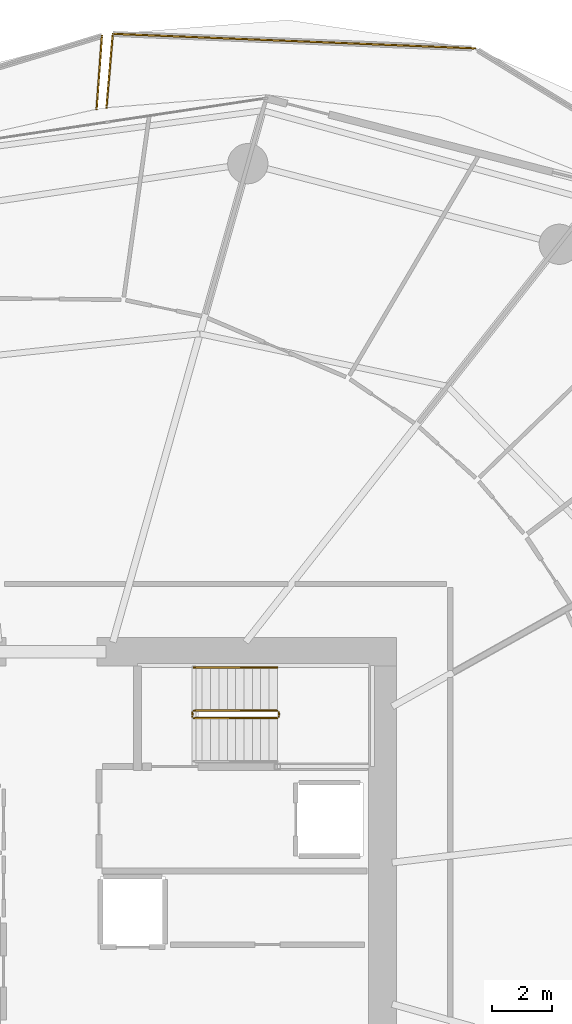
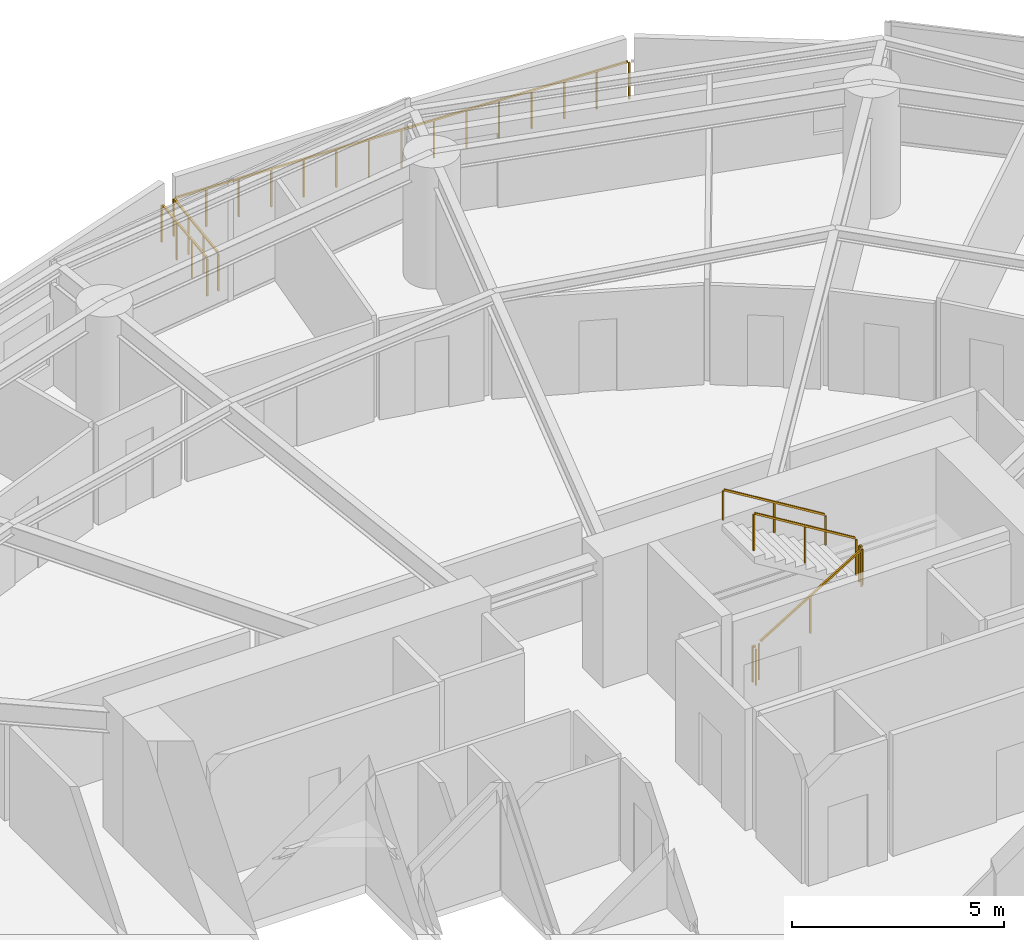
# One storey, part 30 of 31: 8 railings.
"""IFC4 building model written with IfcOpenShell, lengths in metres."""

from ifc_helpers import new_model, si_unit, direction, frame, origin, origin_2d, place, context, subcontext, project, spatial, rectangle, extrude, material, type_object, element, save


model = new_model("IFC4")

# Units and contexts
model_context = context("Model", 3, precision=1e-05, world=origin(), true_north=direction((0.0, 1.0)))
body_context = subcontext(model_context, "Body", "Model", "MODEL_VIEW")
ifc_project = project(units=[si_unit("LENGTHUNIT", "METRE"), si_unit("AREAUNIT", "SQUARE_METRE"), si_unit("VOLUMEUNIT", "CUBIC_METRE"), si_unit("PLANEANGLEUNIT", "RADIAN"), si_unit("MASSUNIT", "GRAM", prefix="KILO")], contexts=[model_context])

# Site, building, storey
site_placement = place(None, origin())
site = spatial("IfcSite", under=ifc_project, at=site_placement, CompositionType="ELEMENT")
building_placement = place(site_placement, origin())
building = spatial("IfcBuilding", under=site, at=building_placement, Name="Kazma Halo Residences", CompositionType="ELEMENT")
storey_placement = place(building_placement, frame((0.0, 0.0, 37.64990234375)))
storey = spatial("IfcBuildingStorey", under=building, at=storey_placement, Name="L08", CompositionType="ELEMENT", Elevation=37.64990234375)

# Railings
ifc_material_1 = material(Name="Aluminium AW-6063 T6 Brushed Cap Rail", Category="aluminium")
railing_type_1 = type_object("IfcRailingType", Name="RLG-BAL-CAP-1120", PredefinedType="BALUSTRADE", material=ifc_material_1)
railing_1_placement = place(storey_placement, frame((62.63232421875, 70.717529296875, 0.0)))
element("IfcRailing", 1, at=railing_1_placement, inside=storey, type_object=railing_type_1, Name="L08 NE wave balcony guard 3", PredefinedType="BALUSTRADE", context=body_context, shape_type="SweptSolid", body=[
    extrude(rectangle(XDim=0.050048828125, YDim=0.050048828125, at=origin_2d()), frame((-0.04248046875, 0.001708984375, 1.09521484375), z_axis=(-0.999194018409, 0.040141170593, 0.0), x_axis=(-0.040141170593, -0.999194018409, 0.0)), (0.0, 0.0, 1.0), 12.0791015625),
    extrude(rectangle(XDim=0.0400390625, YDim=0.0400390625, at=origin_2d()), origin(), (0.0, 0.0, 1.0), 1.05810546875),
    extrude(rectangle(XDim=0.0400390625, YDim=0.0400390625, at=origin_2d()), frame((-0.8681640625, 0.034912109375, 0.0)), (0.0, 0.0, 1.0), 1.05810546875),
    extrude(rectangle(XDim=0.0400390625, YDim=0.0400390625, at=origin_2d()), frame((-1.736328125, 0.06982421875, 0.0)), (0.0, 0.0, 1.0), 1.05810546875),
    extrude(rectangle(XDim=0.0400390625, YDim=0.0400390625, at=origin_2d()), frame((-2.6044921875, 0.104736328125, 0.0)), (0.0, 0.0, 1.0), 1.05810546875),
    extrude(rectangle(XDim=0.0400390625, YDim=0.0400390625, at=origin_2d()), frame((-3.47265625, 0.139404296875, 0.0)), (0.0, 0.0, 1.0), 1.05810546875),
    extrude(rectangle(XDim=0.0400390625, YDim=0.0400390625, at=origin_2d()), frame((-4.3408203125, 0.17431640625, 0.0)), (0.0, 0.0, 1.0), 1.05810546875),
    extrude(rectangle(XDim=0.0400390625, YDim=0.0400390625, at=origin_2d()), frame((-5.208984375, 0.209228515625, 0.0)), (0.0, 0.0, 1.0), 1.05810546875),
    extrude(rectangle(XDim=0.0400390625, YDim=0.0400390625, at=origin_2d()), frame((-6.0771484375, 0.244140625, 0.0)), (0.0, 0.0, 1.0), 1.05810546875),
    extrude(rectangle(XDim=0.0400390625, YDim=0.0400390625, at=origin_2d()), frame((-6.9453125, 0.279052734375, 0.0)), (0.0, 0.0, 1.0), 1.05810546875),
    extrude(rectangle(XDim=0.0400390625, YDim=0.0400390625, at=origin_2d()), frame((-7.8134765625, 0.31396484375, 0.0)), (0.0, 0.0, 1.0), 1.05810546875),
    extrude(rectangle(XDim=0.0400390625, YDim=0.0400390625, at=origin_2d()), frame((-8.681640625, 0.348876953125, 0.0)), (0.0, 0.0, 1.0), 1.05810546875),
    extrude(rectangle(XDim=0.0400390625, YDim=0.0400390625, at=origin_2d()), frame((-9.5498046875, 0.383544921875, 0.0)), (0.0, 0.0, 1.0), 1.05810546875),
    extrude(rectangle(XDim=0.0400390625, YDim=0.0400390625, at=origin_2d()), frame((-10.41796875, 0.41845703125, 0.0)), (0.0, 0.0, 1.0), 1.05810546875),
    extrude(rectangle(XDim=0.0400390625, YDim=0.0400390625, at=origin_2d()), frame((-11.2861328125, 0.453369140625, 0.0)), (0.0, 0.0, 1.0), 1.05810546875),
    extrude(rectangle(XDim=0.0400390625, YDim=0.0400390625, at=origin_2d()), frame((-12.154296875, 0.48828125, 0.0)), (0.0, 0.0, 1.0), 1.05810546875),
])
railing_2_placement = place(storey_placement, frame((50.47802734375, 71.205810546875, 0.0)))
element("IfcRailing", 2, at=railing_2_placement, inside=storey, type_object=railing_type_1, Name="L08 NE wave balcony guard 4", PredefinedType="BALUSTRADE", context=body_context, shape_type="SweptSolid", body=[
    extrude(rectangle(XDim=0.050048828125, YDim=0.050048828125, at=origin_2d()), frame((-0.003662109375, -0.04248046875, 1.09521484375), z_axis=(-0.084492676615, -0.99642410027, 0.0), x_axis=(0.99642410027, -0.084492676615, 0.0)), (0.0, 0.0, 1.0), 2.39990234375),
    extrude(rectangle(XDim=0.0400390625, YDim=0.0400390625, at=origin_2d()), origin(), (0.0, 0.0, 1.0), 1.05810546875),
    extrude(rectangle(XDim=0.0400390625, YDim=0.0400390625, at=origin_2d()), frame((-0.070068359375, -0.825439453125, 0.0)), (0.0, 0.0, 1.0), 1.05810546875),
    extrude(rectangle(XDim=0.0400390625, YDim=0.0400390625, at=origin_2d()), frame((-0.139892578125, -1.650634765625, 0.0)), (0.0, 0.0, 1.0), 1.05810546875),
    extrude(rectangle(XDim=0.0400390625, YDim=0.0400390625, at=origin_2d()), frame((-0.2099609375, -2.47607421875, 0.0)), (0.0, 0.0, 1.0), 1.05810546875),
])
railing_3_placement = place(storey_placement, frame((49.935791015625, 68.679931640625, 0.0)))
element("IfcRailing", 3, at=railing_3_placement, inside=storey, type_object=railing_type_1, Name="L08 NNW wave balcony guard 1", PredefinedType="BALUSTRADE", context=body_context, shape_type="SweptSolid", body=[
    extrude(rectangle(XDim=0.050048828125, YDim=0.050048828125, at=origin_2d()), frame((0.003173828125, 0.04248046875, 1.09521484375), z_axis=(0.072358458042, 0.997378691145, 0.0), x_axis=(-0.997378691145, 0.072358458042, 0.0)), (0.0, 0.0, 1.0), 2.38134765625),
    extrude(rectangle(XDim=0.0400390625, YDim=0.0400390625, at=origin_2d()), origin(), (0.0, 0.0, 1.0), 1.05810546875),
    extrude(rectangle(XDim=0.0400390625, YDim=0.0400390625, at=origin_2d()), frame((0.0595703125, 0.820068359375, 0.0)), (0.0, 0.0, 1.0), 1.05810546875),
    extrude(rectangle(XDim=0.0400390625, YDim=0.0400390625, at=origin_2d()), frame((0.118896484375, 1.639892578125, 0.0)), (0.0, 0.0, 1.0), 1.05810546875),
    extrude(rectangle(XDim=0.0400390625, YDim=0.0400390625, at=origin_2d()), frame((0.178466796875, 2.4599609375, 0.0)), (0.0, 0.0, 1.0), 1.05810546875),
])
ifc_material_2 = material(Name="Painted Steel S355", Category="steel")
railing_type_2 = type_object("IfcRailingType", Name="RLG-STAIR-GRD-1100", PredefinedType="GUARDRAIL", material=ifc_material_2)
railing_4_placement = place(storey_placement, frame((53.199951171875, 48.25, 0.170654296875)))
element("IfcRailing", 4, at=railing_4_placement, inside=storey, type_object=railing_type_2, Name="L08 ST-02 stair guard 1", PredefinedType="GUARDRAIL", context=body_context, shape_type="SweptSolid", body=[
    extrude(rectangle(XDim=0.050048828125, YDim=0.050048828125, at=origin_2d()), frame((0.036376953125, 0.0, 1.09716796875), z_axis=(0.854202870247, 0.0, 0.519939858505), x_axis=(0.0, 1.0, 0.0)), (0.0, 0.0, 1.0), 3.19287109375),
    extrude(rectangle(XDim=0.0400390625, YDim=0.0400390625, at=origin_2d()), origin(), (0.0, 0.0, 1.0), 1.0380859375),
    extrude(rectangle(XDim=0.0400390625, YDim=0.0400390625, at=origin_2d()), frame((1.39990234375, 0.0, 0.85205078125)), (0.0, 0.0, 1.0), 1.0380859375),
    extrude(rectangle(XDim=0.0400390625, YDim=0.0400390625, at=origin_2d()), frame((2.800048828125, 0.0, 1.704345703125)), (0.0, 0.0, 1.0), 1.0380859375),
])
railing_5_placement = place(storey_placement, frame((56.050048828125, 48.300048828125, 1.875)))
element("IfcRailing", 5, at=railing_5_placement, inside=storey, type_object=railing_type_2, Name="L08 ST-02 stair guard 2", PredefinedType="GUARDRAIL", context=body_context, shape_type="SweptSolid", body=[
    extrude(rectangle(XDim=0.050048828125, YDim=0.050048828125, at=origin_2d()), frame((0.0, 0.04248046875, 1.0751953125), z_axis=(0.0, 1.0, 0.0), x_axis=(-1.0, 0.0, 0.0)), (0.0, 0.0, 1.0), 0.06494140625),
    extrude(rectangle(XDim=0.0400390625, YDim=0.0400390625, at=origin_2d()), origin(), (0.0, 0.0, 1.0), 1.0380859375),
    extrude(rectangle(XDim=0.0400390625, YDim=0.0400390625, at=origin_2d()), frame((0.0, 0.14990234375, 0.0)), (0.0, 0.0, 1.0), 1.0380859375),
])
railing_6_placement = place(storey_placement, frame((56.0, 48.5, 2.045654296875)))
element("IfcRailing", 6, at=railing_6_placement, inside=storey, type_object=railing_type_2, Name="L08 ST-02 stair guard 3", PredefinedType="GUARDRAIL", context=body_context, shape_type="SweptSolid", body=[
    extrude(rectangle(XDim=0.050048828125, YDim=0.050048828125, at=origin_2d()), frame((-0.036376953125, 0.0, 1.09716796875), z_axis=(-0.854202870247, 0.0, 0.519939858505), x_axis=(0.0, -1.0, 0.0)), (0.0, 0.0, 1.0), 3.19287109375),
    extrude(rectangle(XDim=0.0400390625, YDim=0.0400390625, at=origin_2d()), origin(), (0.0, 0.0, 1.0), 1.0380859375),
    extrude(rectangle(XDim=0.0400390625, YDim=0.0400390625, at=origin_2d()), frame((-1.39990234375, 0.0, 0.85205078125)), (0.0, 0.0, 1.0), 1.0380859375),
    extrude(rectangle(XDim=0.0400390625, YDim=0.0400390625, at=origin_2d()), frame((-2.800048828125, 0.0, 1.704345703125)), (0.0, 0.0, 1.0), 1.0380859375),
])
railing_7_placement = place(storey_placement, frame((53.14990234375, 48.300048828125, 0.0)))
element("IfcRailing", 7, at=railing_7_placement, inside=storey, type_object=railing_type_2, Name="L08 ST-02 stair guard 4", PredefinedType="GUARDRAIL", context=body_context, shape_type="SweptSolid", body=[
    extrude(rectangle(XDim=0.050048828125, YDim=0.050048828125, at=origin_2d()), frame((0.0, 0.04248046875, 1.0751953125), z_axis=(0.0, 1.0, 0.0), x_axis=(-1.0, 0.0, 0.0)), (0.0, 0.0, 1.0), 0.06494140625),
    extrude(rectangle(XDim=0.0400390625, YDim=0.0400390625, at=origin_2d()), origin(), (0.0, 0.0, 1.0), 1.0380859375),
    extrude(rectangle(XDim=0.0400390625, YDim=0.0400390625, at=origin_2d()), frame((0.0, 0.14990234375, 0.0)), (0.0, 0.0, 1.0), 1.0380859375),
])
ifc_material_3 = material(Name="Brushed Stainless Steel", Category="steel")
railing_type_3 = type_object("IfcRailingType", Name="RLG-STAIR-HND-900", PredefinedType="HANDRAIL", material=ifc_material_3)
railing_8_placement = place(storey_placement, frame((56.0, 49.949951171875, 2.045654296875)))
element("IfcRailing", 8, at=railing_8_placement, inside=storey, type_object=railing_type_3, Name="L08 ST-02 stair handrail 2", PredefinedType="HANDRAIL", context=body_context, shape_type="SweptSolid", body=[
    extrude(rectangle(XDim=0.050048828125, YDim=0.050048828125, at=origin_2d()), frame((-0.036376953125, 0.0, 0.89697265625), z_axis=(-0.854202870247, 0.0, 0.519939858505), x_axis=(0.0, -1.0, 0.0)), (0.0, 0.0, 1.0), 3.19287109375),
    extrude(rectangle(XDim=0.0400390625, YDim=0.0400390625, at=origin_2d()), origin(), (0.0, 0.0, 1.0), 0.837890625),
    extrude(rectangle(XDim=0.0400390625, YDim=0.0400390625, at=origin_2d()), frame((-1.39990234375, 0.0, 0.85205078125)), (0.0, 0.0, 1.0), 0.837890625),
    extrude(rectangle(XDim=0.0400390625, YDim=0.0400390625, at=origin_2d()), frame((-2.800048828125, 0.0, 1.704345703125)), (0.0, 0.0, 1.0), 0.837890625),
])

save(model, "model.ifc")
